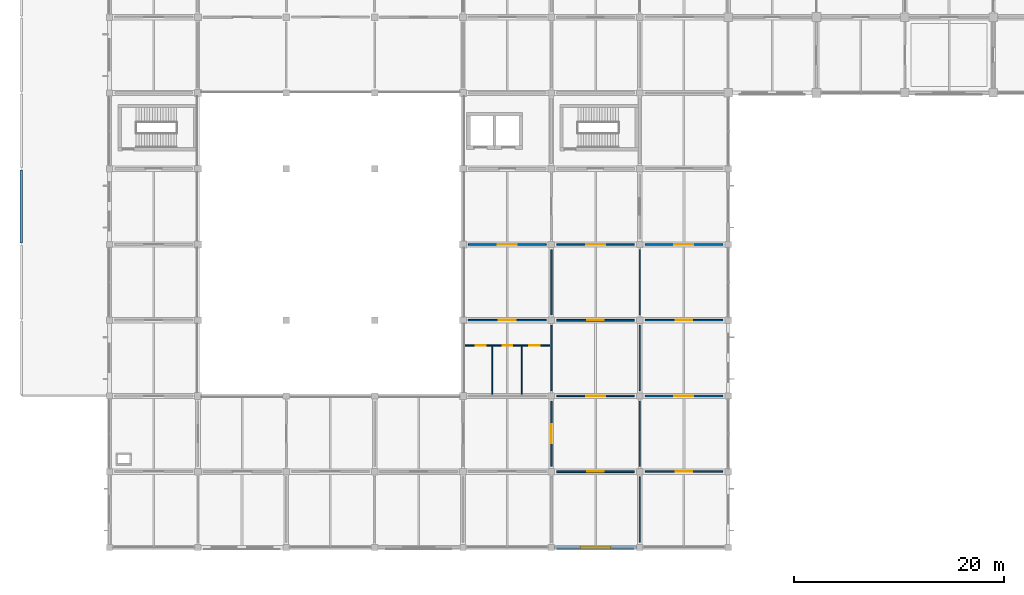
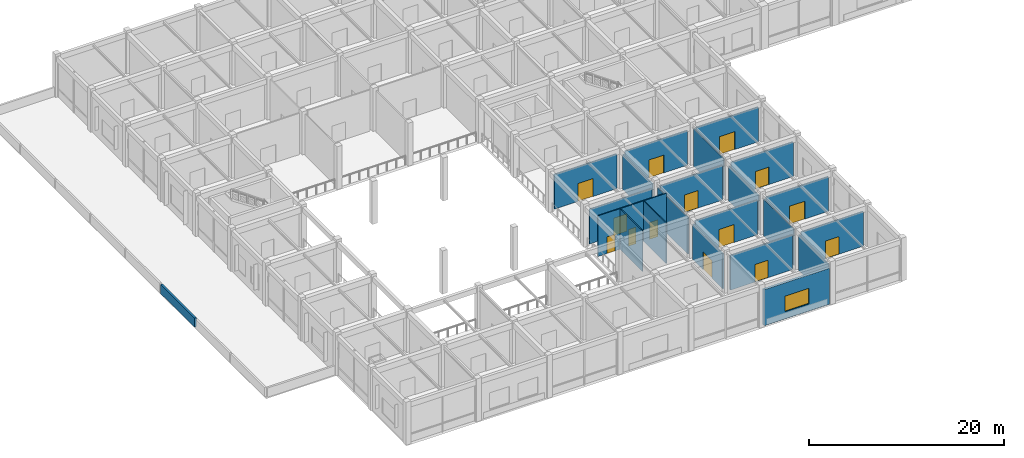
# One storey, part 20 of 38: 22 walls, 14 doors, 1 window, 15 openings.
"""IFC4 building model written with IfcOpenShell, lengths in metres."""

import ifcopenshell
import ifcopenshell.guid

model = None  # the IFC model being written
_history = None  # IfcOwnerHistory: only IFC2X3 demands one
_inside = {}  # id of a spatial element -> (the spatial element, [elements in it])
_under = {}  # id of a project, library or spatial element -> (it, [spatial elements below it])
_declared = {}  # id of a project -> (the project, [libraries it declares])
_typed = {}  # id of a type object -> (the type object, [elements of that type])
_made_of = {}  # id of a material, layer set ... -> (it, [elements and type objects made of it])


def new_model(schema):
    """Start an empty IFC model of exactly this schema.

    Asked for "IFC4X3", IfcOpenShell would pick the latest addendum, in which some entities
    have other attributes; the version numbers below select the first issue.
    IFC2X3 requires an IfcOwnerHistory on every rooted entity: one is made here for all.
    """
    global model, _history
    if schema == "IFC4X3":
        model = ifcopenshell.file(schema_version=(4, 3, 0, 0))
    else:
        model = ifcopenshell.file(schema=schema)
    _inside.clear()
    _under.clear()
    _declared.clear()
    _typed.clear()
    _made_of.clear()
    _history = None
    if model.schema == "IFC2X3":
        org = make("IfcOrganization", Name="unknown")
        user = make(
            "IfcPersonAndOrganization",
            ThePerson=make("IfcPerson", FamilyName="unknown"),
            TheOrganization=org,
        )
        app = make(
            "IfcApplication",
            ApplicationDeveloper=org,
            Version="unknown",
            ApplicationFullName="unknown",
            ApplicationIdentifier="unknown",
        )
        _history = make(
            "IfcOwnerHistory",
            OwningUser=user,
            OwningApplication=app,
            ChangeAction="ADDED",
            CreationDate=0,
        )
    return model


def make(cls, **values):
    """One entity of the class cls with the attributes given. An attribute that is None is left unset."""
    return model.create_entity(
        cls, **{name: value for name, value in values.items() if value is not None}
    )


def rooted(cls, **values):
    """An entity with a GlobalId (a new one), such as an element, a storey or a relation."""
    return make(cls, GlobalId=ifcopenshell.guid.new(), OwnerHistory=_history, **values)


def si_unit(unit_type, name, prefix=None):
    """IfcSIUnit, for example si_unit("LENGTHUNIT", "METRE", prefix="MILLI")."""
    return make("IfcSIUnit", UnitType=unit_type, Prefix=prefix, Name=name)


def derived_unit(unit_type, elements):
    """IfcDerivedUnit: a product of units, each with its exponent."""
    return make(
        "IfcDerivedUnit",
        Elements=[
            make("IfcDerivedUnitElement", Unit=unit, Exponent=power)
            for unit, power in elements
        ],
        UnitType=unit_type,
    )


def assignment(units):
    """IfcUnitAssignment: the units of a project."""
    return None if units is None else make("IfcUnitAssignment", Units=units)


def point(xyz):
    """IfcCartesianPoint."""
    return None if xyz is None else make("IfcCartesianPoint", Coordinates=xyz)


def direction(xyz):
    """IfcDirection."""
    return None if xyz is None else make("IfcDirection", DirectionRatios=xyz)


def frame(location, z_axis=None, x_axis=None):
    """IfcAxis2Placement3D, a coordinate frame: its origin and axes. An axis left out is left unset."""
    return make(
        "IfcAxis2Placement3D",
        Location=point(location),
        Axis=direction(z_axis),
        RefDirection=direction(x_axis),
    )


def frame_2d(location, x_axis=None):
    """IfcAxis2Placement2D, a coordinate frame in the plane: its origin and x axis."""
    return make(
        "IfcAxis2Placement2D", Location=point(location), RefDirection=direction(x_axis)
    )


def origin():
    """The frame at (0, 0, 0) with its axes left unset."""
    return frame((0.0, 0.0, 0.0))


def place(relative_to, where):
    """IfcLocalPlacement: puts the frame where relative to a parent placement (None: the world)."""
    return make(
        "IfcLocalPlacement", PlacementRelTo=relative_to, RelativePlacement=where
    )


def context(
    kind, dimensions, precision=None, world=None, true_north=None, identifier=None
):
    """IfcGeometricRepresentationContext, for example the 3D "Model" context."""
    return make(
        "IfcGeometricRepresentationContext",
        ContextIdentifier=identifier,
        ContextType=kind,
        CoordinateSpaceDimension=dimensions,
        Precision=precision,
        WorldCoordinateSystem=world,
        TrueNorth=true_north,
    )


def subcontext(parent, identifier, kind, view, scale=None):
    """IfcGeometricRepresentationSubContext, for example "Body" below "Model"."""
    return make(
        "IfcGeometricRepresentationSubContext",
        ContextIdentifier=identifier,
        ContextType=kind,
        ParentContext=parent,
        TargetScale=scale,
        TargetView=view,
    )


def project(units=None, contexts=None):
    """IfcProject with its units and contexts."""
    return rooted(
        "IfcProject",
        Name="project",
        RepresentationContexts=contexts,
        UnitsInContext=assignment(units),
    )


def spatial(cls, under=None, at=None, **own):
    """A site, building, storey or space (cls), placed at a placement, below another one or the project."""
    s = rooted(cls, ObjectPlacement=at, **own)
    if under is not None:
        _under.setdefault(under.id(), (under, []))[1].append(s)
    return s


def profile(cls, at=None, kind="AREA", **sizes):
    """A parametric profile (cls). Its sizes go by their IFC names, for example OverallWidth=200.0."""
    return make(cls, ProfileType=kind, Position=at, **sizes)


def rectangle(**sizes):
    """IfcRectangleProfileDef."""
    return profile("IfcRectangleProfileDef", **sizes)


def extrude(swept, where, along, depth):
    """IfcExtrudedAreaSolid: the profile swept, set in the frame where, extruded along a direction by depth."""
    return make(
        "IfcExtrudedAreaSolid",
        SweptArea=swept,
        Position=where,
        ExtrudedDirection=direction(along),
        Depth=depth,
    )


def shape(context_of_items, identifier, shape_type, items):
    """IfcShapeRepresentation: the items that make up one representation, for example the "Body"."""
    return make(
        "IfcShapeRepresentation",
        ContextOfItems=context_of_items,
        RepresentationIdentifier=identifier,
        RepresentationType=shape_type,
        Items=items,
    )


def material(Name=None, Category=None):
    """IfcMaterial."""
    return make("IfcMaterial", Name=Name, Category=Category)


def layer(
    of_material, thickness, ventilated=None, Name=None, Category=None, Priority=None
):
    """IfcMaterialLayer: one layer of a wall or slab, of a material (None: an air gap)."""
    return make(
        "IfcMaterialLayer",
        Material=of_material,
        LayerThickness=thickness,
        IsVentilated=ventilated,
        Name=Name,
        Category=Category,
        Priority=Priority,
    )


def layer_set(layers, Name=None):
    """IfcMaterialLayerSet."""
    return make("IfcMaterialLayerSet", MaterialLayers=layers, LayerSetName=Name)


def made_of(thing, what):
    """Note that an element or type object is made of a material, layer set ...; save() writes the relation."""
    if what is not None:
        _made_of.setdefault(what.id(), (what, []))[1].append(thing)
    return thing


def type_object(cls, material=None, **own):
    """A type object (cls), such as IfcWallType, which elements share."""
    return made_of(rooted(cls, **own), material)


def element(
    cls,
    number,
    at=None,
    inside=None,
    cuts=None,
    type_object=None,
    material=None,
    context=None,
    identifier="Body",
    shape_type=None,
    held_by="IfcProductDefinitionShape",
    body=None,
    shapes=None,
    **own,
):
    """One element of the class cls, such as IfcWall. Its Tag is "e" and its number.

    at: its placement. inside: the storey or other place that contains it. cuts: it is an
    opening in that element (IfcRelVoidsElement). A single representation is given by context,
    identifier, shape_type and body (its items); several are given by shapes. held_by: the class
    of the entity that holds the representations. save() writes the other relations.
    """
    e = rooted(cls, Tag="e%d" % number, ObjectPlacement=at, **own)
    if body is not None:
        shapes = [shape(context, identifier, shape_type, body)]
    if shapes is not None:
        e.Representation = make(held_by, Representations=shapes)
    if inside is not None:
        _inside.setdefault(inside.id(), (inside, []))[1].append(e)
    if cuts is not None:
        rooted(
            "IfcRelVoidsElement", RelatingBuildingElement=cuts, RelatedOpeningElement=e
        )
    if type_object is not None:
        _typed.setdefault(type_object.id(), (type_object, []))[1].append(e)
    return made_of(e, material)


def fill(opening, filler):
    """IfcRelFillsElement: the door or window that sits in an opening."""
    return rooted(
        "IfcRelFillsElement",
        RelatingOpeningElement=opening,
        RelatedBuildingElement=filler,
    )


def aggregate(whole, parts):
    """IfcRelAggregates: a whole, such as a stair, and the parts it consists of."""
    return rooted("IfcRelAggregates", RelatingObject=whole, RelatedObjects=parts)


def save(model, path):
    """Write the relations noted so far, then the file.

    IfcRelAggregates (storeys below a building ...), IfcRelContainedInSpatialStructure (elements
    in a storey), IfcRelDefinesByType, IfcRelAssociatesMaterial and IfcRelDeclares: one each for
    every whole, place, type object, material and project.
    """
    for whole, parts in _under.values():
        aggregate(whole, parts)
    for where, things in _inside.values():
        rooted(
            "IfcRelContainedInSpatialStructure",
            RelatedElements=things,
            RelatingStructure=where,
        )
    for kind, things in _typed.values():
        rooted("IfcRelDefinesByType", RelatedObjects=things, RelatingType=kind)
    for what, things in _made_of.values():
        rooted("IfcRelAssociatesMaterial", RelatedObjects=things, RelatingMaterial=what)
    for by, libraries in _declared.values():
        rooted("IfcRelDeclares", RelatingContext=by, RelatedDefinitions=libraries)
    model.write(path)


model = new_model("IFC4")

# Units and contexts
model_context = context("Model", 3, precision=1e-05, world=origin(), true_north=direction((0.0, 1.0)))
body_context = subcontext(model_context, "Body", "Model", "MODEL_VIEW")
ifc_project = project(units=[si_unit("LENGTHUNIT", "METRE"), si_unit("AREAUNIT", "SQUARE_METRE"), si_unit("VOLUMEUNIT", "CUBIC_METRE"), si_unit("PLANEANGLEUNIT", "RADIAN"), si_unit("MASSUNIT", "GRAM", prefix="KILO"), derived_unit("THERMALTRANSMITTANCEUNIT", [(si_unit("MASSUNIT", "GRAM", prefix="KILO"), 1), (si_unit("TIMEUNIT", "SECOND"), -3), (si_unit("THERMODYNAMICTEMPERATUREUNIT", "KELVIN"), -1)])], contexts=[model_context])

# Site, building, storey
site_placement = place(None, origin())
site = spatial("IfcSite", under=ifc_project, at=site_placement, CompositionType="ELEMENT")
building_placement = place(site_placement, origin())
building = spatial("IfcBuilding", under=site, at=building_placement, Name="Veldstrom Oceanarium and Marine Research Institute", CompositionType="ELEMENT")
storey_placement = place(building_placement, frame((0.0, 0.0, 11.39990234375)))
storey = spatial("IfcBuildingStorey", under=building, at=storey_placement, Name="L02", CompositionType="ELEMENT", Elevation=11.39990234375)

# Wall, opening, window
ifc_material_1 = material(Name="Masonry Cavity Wall", Category="masonry")
ifc_layer_1 = layer(ifc_material_1, 0.2900390625)
ifc_layer_set_1 = layer_set([ifc_layer_1], Name="ARC-WAL-EW2")
wall_type_1 = type_object("IfcWallType", Name="ARC-WAL-EW2", PredefinedType="SOLIDWALL", material=ifc_layer_set_1)
wall_1_placement = place(storey_placement, frame((50.699951171875, 0.0, 0.0), z_axis=(0.0, 0.0, 1.0), x_axis=(1.0, 0.0, 0.0)))
wall_1 = element("IfcWall", 1, at=wall_1_placement, inside=storey, type_object=wall_type_1, Name="Exterior Facade Wall EW2 L02-127", PredefinedType="SOLIDWALL", context=body_context, shape_type="SweptSolid", body=[
    extrude(rectangle(XDim=7.800048828125, YDim=0.2900390625, at=frame_2d((3.89990234375, 0.0))), origin(), (0.0, 0.0, 1.0), 4.52001953125),
])
opening_1_placement = place(wall_1_placement, frame((2.47509765625, 0.0, 0.89990234375)))
opening_1 = element("IfcOpeningElement", 2, at=opening_1_placement, cuts=wall_1, Name="Opening W19", PredefinedType="OPENING", context=body_context, shape_type="SweptSolid", body=[
    extrude(rectangle(XDim=2.85009765625, YDim=1.949951171875, at=frame_2d((1.425048828125, 0.97509765625))), frame((0.0, 0.155029296875, 0.0), z_axis=(0.0, -1.0, 0.0), x_axis=(1.0, 0.0, 0.0)), (0.0, 0.0, 1.0), 0.31005859375),
])
ifc_material_2 = material(Name="Double Glazed Low-E IGU", Category="glass")
window_type = type_object("IfcWindowType", Name="ARC-WIN-W19", PartitioningType="SINGLE_PANEL", PredefinedType="WINDOW", material=ifc_material_2)
window_placement = place(opening_1_placement, origin())
window = element("IfcWindow", 3, at=window_placement, inside=storey, type_object=window_type, Name="Facade Window W19 L02-0090", OverallHeight=1.949951171875, OverallWidth=2.85009765625, PartitioningType="SINGLE_PANEL", PredefinedType="WINDOW", context=body_context, shape_type="SweptSolid", body=[
    extrude(rectangle(XDim=2.85009765625, YDim=1.949951171875, at=frame_2d((1.425048828125, 0.97509765625))), frame((0.0, 0.030029296875, 0.0), z_axis=(0.0, -1.0, 0.0), x_axis=(1.0, 0.0, 0.0)), (0.0, 0.0, 1.0), 0.06005859375),
])
fill(opening_1, window)

# Wall
ifc_material_3 = material(Name="Masonry Cavity Wall", Category="masonry")
ifc_layer_2 = layer(ifc_material_3, 0.219970703125)
ifc_layer_set_2 = layer_set([ifc_layer_2], Name="ARC-WAL-PR1")
wall_type_2 = type_object("IfcWallType", Name="ARC-WAL-PR1", PredefinedType="PARAPET", material=ifc_layer_set_2)
wall_2_placement = place(storey_placement, frame((0.0, 28.919921875, 0.0), z_axis=(0.0, 0.0, 1.0), x_axis=(0.0, 1.0, 0.0)))
element("IfcWall", 4, at=wall_2_placement, inside=storey, type_object=wall_type_2, Name="Roof Parapet Wall L01-025", PredefinedType="PARAPET", context=body_context, shape_type="SweptSolid", body=[
    extrude(rectangle(XDim=6.9599609375, YDim=0.219970703125, at=frame_2d((3.47998046875, 0.0))), origin(), (0.0, 0.0, 1.0), 1.150146484375),
])

# Wall, opening, door
ifc_material_4 = material(Name="Drywall Corridor Partition", Category="gypsum")
ifc_layer_3 = layer(ifc_material_4, 0.155029296875)
ifc_layer_set_3 = layer_set([ifc_layer_3], Name="ARC-WAL-PT4")
wall_type_3 = type_object("IfcWallType", Name="ARC-WAL-PT4", PredefinedType="PARTITIONING", material=ifc_layer_set_3)
wall_3_placement = place(storey_placement, frame((50.39990234375, 7.699951171875, 0.0), z_axis=(0.0, 0.0, 1.0), x_axis=(0.0, 1.0, 0.0)))
wall_3 = element("IfcWall", 5, at=wall_3_placement, inside=storey, type_object=wall_type_3, Name="Interior Partition PT4 L02-1109", PredefinedType="PARTITIONING", context=body_context, shape_type="SweptSolid", body=[
    extrude(rectangle(XDim=6.199951171875, YDim=0.155029296875, at=frame_2d((3.10009765625, 0.0))), origin(), (0.0, 0.0, 1.0), 4.39501953125),
])
opening_2_placement = place(wall_3_placement, frame((2.199951171875, 0.0, 0.0)))
opening_2 = element("IfcOpeningElement", 6, at=opening_2_placement, cuts=wall_3, Name="Opening D-L02-646", PredefinedType="OPENING", context=body_context, shape_type="SweptSolid", body=[
    extrude(rectangle(XDim=1.800048828125, YDim=2.25, at=frame_2d((0.89990234375, 1.125))), frame((0.0, 0.08740234375, 0.0), z_axis=(0.0, -1.0, 0.0), x_axis=(1.0, 0.0, 0.0)), (0.0, 0.0, 1.0), 0.175048828125),
])
ifc_material_5 = material(Name="Acoustic Timber Gallery Door", Category="wood")
door_type_1 = type_object("IfcDoorType", Name="ARC-DOR-ID01", OperationType="DOUBLE_DOOR_SINGLE_SWING", PredefinedType="DOOR", material=ifc_material_5)
door_1_placement = place(opening_2_placement, frame((1.800048828125, 0.0, 0.0), z_axis=(0.0, 0.0, 1.0), x_axis=(-1.0, 0.0, 0.0)))
door_1 = element("IfcDoor", 7, at=door_1_placement, inside=storey, type_object=door_type_1, Name="Interior Door D-L02-646", OperationType="DOUBLE_DOOR_SINGLE_SWING", OverallHeight=2.25, OverallWidth=1.800048828125, PredefinedType="DOOR", context=body_context, shape_type="SweptSolid", body=[
    extrude(rectangle(XDim=1.800048828125, YDim=2.25, at=frame_2d((0.89990234375, 1.125))), frame((0.0, 0.02490234375, 0.0), z_axis=(0.0, -1.0, 0.0), x_axis=(1.0, 0.0, 0.0)), (0.0, 0.0, 1.0), 0.050048828125),
])
fill(opening_2, door_1)

wall_4_placement = place(storey_placement, frame((42.5, 28.800048828125, 0.0), z_axis=(0.0, 0.0, 1.0), x_axis=(1.0, 0.0, 0.0)))
wall_4 = element("IfcWall", 8, at=wall_4_placement, inside=storey, type_object=wall_type_3, Name="Interior Partition PT4 L02-1114", PredefinedType="PARTITIONING", context=body_context, shape_type="SweptSolid", body=[
    extrude(rectangle(XDim=7.39990234375, YDim=0.155029296875, at=frame_2d((3.699951171875, 0.0))), origin(), (0.0, 0.0, 1.0), 4.34521484375),
])
opening_3_placement = place(wall_4_placement, frame((2.800048828125, 0.0, 0.0)))
opening_3 = element("IfcOpeningElement", 9, at=opening_3_placement, cuts=wall_4, Name="Opening D-L02-648", PredefinedType="OPENING", context=body_context, shape_type="SweptSolid", body=[
    extrude(rectangle(XDim=1.800048828125, YDim=2.25, at=frame_2d((0.89990234375, 1.125))), frame((0.0, 0.08740234375, 0.0), z_axis=(0.0, -1.0, 0.0), x_axis=(1.0, 0.0, 0.0)), (0.0, 0.0, 1.0), 0.175048828125),
])
door_2_placement = place(opening_3_placement, origin())
door_2 = element("IfcDoor", 10, at=door_2_placement, inside=storey, type_object=door_type_1, Name="Interior Door D-L02-648", OperationType="DOUBLE_DOOR_SINGLE_SWING", OverallHeight=2.25, OverallWidth=1.800048828125, PredefinedType="DOOR", context=body_context, shape_type="SweptSolid", body=[
    extrude(rectangle(XDim=1.800048828125, YDim=2.25, at=frame_2d((0.89990234375, 1.125))), frame((0.0, 0.02490234375, 0.0), z_axis=(0.0, -1.0, 0.0), x_axis=(1.0, 0.0, 0.0)), (0.0, 0.0, 1.0), 0.050048828125),
])
fill(opening_3, door_2)

wall_5_placement = place(storey_placement, frame((50.89990234375, 7.199951171875, 0.0), z_axis=(0.0, 0.0, 1.0), x_axis=(1.0, 0.0, 0.0)))
wall_5 = element("IfcWall", 11, at=wall_5_placement, inside=storey, type_object=wall_type_3, Name="Interior Partition PT4 L02-1127", PredefinedType="PARTITIONING", context=body_context, shape_type="SweptSolid", body=[
    extrude(rectangle(XDim=7.400146484375, YDim=0.155029296875, at=frame_2d((3.7001953125, 0.0))), origin(), (0.0, 0.0, 1.0), 4.34521484375),
])
opening_4_placement = place(wall_5_placement, frame((2.89990234375, 0.0, 0.0)))
opening_4 = element("IfcOpeningElement", 12, at=opening_4_placement, cuts=wall_5, Name="Opening D-L02-655", PredefinedType="OPENING", context=body_context, shape_type="SweptSolid", body=[
    extrude(rectangle(XDim=1.60009765625, YDim=2.199951171875, at=frame_2d((0.800048828125, 1.10009765625))), frame((0.0, 0.08740234375, 0.0), z_axis=(0.0, -1.0, 0.0), x_axis=(1.0, 0.0, 0.0)), (0.0, 0.0, 1.0), 0.175048828125),
])
ifc_material_6 = material(Name="Acoustic Timber Corridor Door", Category="wood")
door_type_2 = type_object("IfcDoorType", Name="ARC-DOR-ID02", OperationType="DOUBLE_DOOR_SINGLE_SWING", PredefinedType="DOOR", material=ifc_material_6)
door_3_placement = place(opening_4_placement, origin())
door_3 = element("IfcDoor", 13, at=door_3_placement, inside=storey, type_object=door_type_2, Name="Interior Door D-L02-655", OperationType="DOUBLE_DOOR_SINGLE_SWING", OverallHeight=2.199951171875, OverallWidth=1.60009765625, PredefinedType="DOOR", context=body_context, shape_type="SweptSolid", body=[
    extrude(rectangle(XDim=1.60009765625, YDim=2.199951171875, at=frame_2d((0.800048828125, 1.10009765625))), frame((0.0, 0.02490234375, 0.0), z_axis=(0.0, -1.0, 0.0), x_axis=(1.0, 0.0, 0.0)), (0.0, 0.0, 1.0), 0.050048828125),
])
fill(opening_4, door_3)

wall_6_placement = place(storey_placement, frame((50.89990234375, 21.60009765625, 0.0), z_axis=(0.0, 0.0, 1.0), x_axis=(1.0, 0.0, 0.0)))
wall_6 = element("IfcWall", 14, at=wall_6_placement, inside=storey, type_object=wall_type_3, Name="Interior Partition PT4 L02-1131", PredefinedType="PARTITIONING", context=body_context, shape_type="SweptSolid", body=[
    extrude(rectangle(XDim=7.400146484375, YDim=0.155029296875, at=frame_2d((3.7001953125, 0.0))), origin(), (0.0, 0.0, 1.0), 4.34521484375),
])
opening_5_placement = place(wall_6_placement, frame((2.89990234375, 0.0, 0.0)))
opening_5 = element("IfcOpeningElement", 15, at=opening_5_placement, cuts=wall_6, Name="Opening D-L02-657", PredefinedType="OPENING", context=body_context, shape_type="SweptSolid", body=[
    extrude(rectangle(XDim=1.60009765625, YDim=2.199951171875, at=frame_2d((0.800048828125, 1.10009765625))), frame((0.0, 0.08740234375, 0.0), z_axis=(0.0, -1.0, 0.0), x_axis=(1.0, 0.0, 0.0)), (0.0, 0.0, 1.0), 0.175048828125),
])
door_4_placement = place(opening_5_placement, origin())
door_4 = element("IfcDoor", 16, at=door_4_placement, inside=storey, type_object=door_type_2, Name="Interior Door D-L02-657", OperationType="DOUBLE_DOOR_SINGLE_SWING", OverallHeight=2.199951171875, OverallWidth=1.60009765625, PredefinedType="DOOR", context=body_context, shape_type="SweptSolid", body=[
    extrude(rectangle(XDim=1.60009765625, YDim=2.199951171875, at=frame_2d((0.800048828125, 1.10009765625))), frame((0.0, 0.02490234375, 0.0), z_axis=(0.0, -1.0, 0.0), x_axis=(1.0, 0.0, 0.0)), (0.0, 0.0, 1.0), 0.050048828125),
])
fill(opening_5, door_4)

wall_7_placement = place(storey_placement, frame((59.300048828125, 14.39990234375, 0.0), z_axis=(0.0, 0.0, 1.0), x_axis=(1.0, 0.0, 0.0)))
wall_7 = element("IfcWall", 17, at=wall_7_placement, inside=storey, type_object=wall_type_3, Name="Interior Partition PT4 L02-1146", PredefinedType="PARTITIONING", context=body_context, shape_type="SweptSolid", body=[
    extrude(rectangle(XDim=7.39990234375, YDim=0.155029296875, at=frame_2d((3.699951171875, 0.0))), origin(), (0.0, 0.0, 1.0), 4.34521484375),
])
opening_6_placement = place(wall_7_placement, frame((2.800048828125, 0.0, 0.0)))
opening_6 = element("IfcOpeningElement", 18, at=opening_6_placement, cuts=wall_7, Name="Opening D-L02-666", PredefinedType="OPENING", context=body_context, shape_type="SweptSolid", body=[
    extrude(rectangle(XDim=1.800048828125, YDim=2.25, at=frame_2d((0.89990234375, 1.125))), frame((0.0, 0.08740234375, 0.0), z_axis=(0.0, -1.0, 0.0), x_axis=(1.0, 0.0, 0.0)), (0.0, 0.0, 1.0), 0.175048828125),
])
door_5_placement = place(opening_6_placement, origin())
door_5 = element("IfcDoor", 19, at=door_5_placement, inside=storey, type_object=door_type_1, Name="Interior Door D-L02-666", OperationType="DOUBLE_DOOR_SINGLE_SWING", OverallHeight=2.25, OverallWidth=1.800048828125, PredefinedType="DOOR", context=body_context, shape_type="SweptSolid", body=[
    extrude(rectangle(XDim=1.800048828125, YDim=2.25, at=frame_2d((0.89990234375, 1.125))), frame((0.0, 0.02490234375, 0.0), z_axis=(0.0, -1.0, 0.0), x_axis=(1.0, 0.0, 0.0)), (0.0, 0.0, 1.0), 0.050048828125),
])
fill(opening_6, door_5)

wall_8_placement = place(storey_placement, frame((59.300048828125, 28.800048828125, 0.0), z_axis=(0.0, 0.0, 1.0), x_axis=(1.0, 0.0, 0.0)))
wall_8 = element("IfcWall", 20, at=wall_8_placement, inside=storey, type_object=wall_type_3, Name="Interior Partition PT4 L02-1148", PredefinedType="PARTITIONING", context=body_context, shape_type="SweptSolid", body=[
    extrude(rectangle(XDim=7.39990234375, YDim=0.155029296875, at=frame_2d((3.699951171875, 0.0))), origin(), (0.0, 0.0, 1.0), 4.34521484375),
])
opening_7_placement = place(wall_8_placement, frame((2.800048828125, 0.0, 0.0)))
opening_7 = element("IfcOpeningElement", 21, at=opening_7_placement, cuts=wall_8, Name="Opening D-L02-668", PredefinedType="OPENING", context=body_context, shape_type="SweptSolid", body=[
    extrude(rectangle(XDim=1.800048828125, YDim=2.25, at=frame_2d((0.89990234375, 1.125))), frame((0.0, 0.08740234375, 0.0), z_axis=(0.0, -1.0, 0.0), x_axis=(1.0, 0.0, 0.0)), (0.0, 0.0, 1.0), 0.175048828125),
])
door_6_placement = place(opening_7_placement, origin())
door_6 = element("IfcDoor", 22, at=door_6_placement, inside=storey, type_object=door_type_1, Name="Interior Door D-L02-668", OperationType="DOUBLE_DOOR_SINGLE_SWING", OverallHeight=2.25, OverallWidth=1.800048828125, PredefinedType="DOOR", context=body_context, shape_type="SweptSolid", body=[
    extrude(rectangle(XDim=1.800048828125, YDim=2.25, at=frame_2d((0.89990234375, 1.125))), frame((0.0, 0.02490234375, 0.0), z_axis=(0.0, -1.0, 0.0), x_axis=(1.0, 0.0, 0.0)), (0.0, 0.0, 1.0), 0.050048828125),
])
fill(opening_7, door_6)

ifc_material_7 = material(Name="Moisture-Resistant Wet-Area Partition", Category="masonry")
ifc_layer_4 = layer(ifc_material_7, 0.139892578125)
ifc_layer_set_4 = layer_set([ifc_layer_4], Name="ARC-WAL-PT5")
wall_type_4 = type_object("IfcWallType", Name="ARC-WAL-PT5", PredefinedType="PARTITIONING", material=ifc_layer_set_4)
wall_9_placement = place(storey_placement, frame((42.5, 21.60009765625, 0.0), z_axis=(0.0, 0.0, 1.0), x_axis=(1.0, 0.0, 0.0)))
wall_9 = element("IfcWall", 23, at=wall_9_placement, inside=storey, type_object=wall_type_4, Name="Interior Partition PT5 L02-1112", PredefinedType="PARTITIONING", context=body_context, shape_type="SweptSolid", body=[
    extrude(rectangle(XDim=7.39990234375, YDim=0.139892578125, at=frame_2d((3.699951171875, 0.0))), origin(), (0.0, 0.0, 1.0), 4.34521484375),
])
opening_8_placement = place(wall_9_placement, frame((2.89990234375, 0.0, 0.0)))
opening_8 = element("IfcOpeningElement", 24, at=opening_8_placement, cuts=wall_9, Name="Opening D-L02-647", PredefinedType="OPENING", context=body_context, shape_type="SweptSolid", body=[
    extrude(rectangle(XDim=1.60009765625, YDim=2.199951171875, at=frame_2d((0.800048828125, 1.10009765625))), frame((0.0, 0.079833984375, 0.0), z_axis=(0.0, -1.0, 0.0), x_axis=(1.0, 0.0, 0.0)), (0.0, 0.0, 1.0), 0.159912109375),
])
door_7_placement = place(opening_8_placement, frame((1.60009765625, 0.0, 0.0), z_axis=(0.0, 0.0, 1.0), x_axis=(-1.0, 0.0, 0.0)))
door_7 = element("IfcDoor", 25, at=door_7_placement, inside=storey, type_object=door_type_2, Name="Interior Door D-L02-647", OperationType="DOUBLE_DOOR_SINGLE_SWING", OverallHeight=2.199951171875, OverallWidth=1.60009765625, PredefinedType="DOOR", context=body_context, shape_type="SweptSolid", body=[
    extrude(rectangle(XDim=1.60009765625, YDim=2.199951171875, at=frame_2d((0.800048828125, 1.10009765625))), frame((0.0, 0.02490234375, 0.0), z_axis=(0.0, -1.0, 0.0), x_axis=(1.0, 0.0, 0.0)), (0.0, 0.0, 1.0), 0.050048828125),
])
fill(opening_8, door_7)

wall_10_placement = place(storey_placement, frame((50.89990234375, 14.39990234375, 0.0), z_axis=(0.0, 0.0, 1.0), x_axis=(1.0, 0.0, 0.0)))
wall_10 = element("IfcWall", 26, at=wall_10_placement, inside=storey, type_object=wall_type_4, Name="Interior Partition PT5 L02-1129", PredefinedType="PARTITIONING", context=body_context, shape_type="SweptSolid", body=[
    extrude(rectangle(XDim=7.400146484375, YDim=0.139892578125, at=frame_2d((3.7001953125, 0.0))), origin(), (0.0, 0.0, 1.0), 4.34521484375),
])
opening_9_placement = place(wall_10_placement, frame((2.800048828125, 0.0, 0.0)))
opening_9 = element("IfcOpeningElement", 27, at=opening_9_placement, cuts=wall_10, Name="Opening D-L02-656", PredefinedType="OPENING", context=body_context, shape_type="SweptSolid", body=[
    extrude(rectangle(XDim=1.800048828125, YDim=2.25, at=frame_2d((0.89990234375, 1.125))), frame((0.0, 0.079833984375, 0.0), z_axis=(0.0, -1.0, 0.0), x_axis=(1.0, 0.0, 0.0)), (0.0, 0.0, 1.0), 0.159912109375),
])
door_8_placement = place(opening_9_placement, frame((1.800048828125, 0.0, 0.0), z_axis=(0.0, 0.0, 1.0), x_axis=(-1.0, 0.0, 0.0)))
door_8 = element("IfcDoor", 28, at=door_8_placement, inside=storey, type_object=door_type_1, Name="Interior Door D-L02-656", OperationType="DOUBLE_DOOR_SINGLE_SWING", OverallHeight=2.25, OverallWidth=1.800048828125, PredefinedType="DOOR", context=body_context, shape_type="SweptSolid", body=[
    extrude(rectangle(XDim=1.800048828125, YDim=2.25, at=frame_2d((0.89990234375, 1.125))), frame((0.0, 0.02490234375, 0.0), z_axis=(0.0, -1.0, 0.0), x_axis=(1.0, 0.0, 0.0)), (0.0, 0.0, 1.0), 0.050048828125),
])
fill(opening_9, door_8)

wall_11_placement = place(storey_placement, frame((50.89990234375, 28.800048828125, 0.0), z_axis=(0.0, 0.0, 1.0), x_axis=(1.0, 0.0, 0.0)))
wall_11 = element("IfcWall", 29, at=wall_11_placement, inside=storey, type_object=wall_type_4, Name="Interior Partition PT5 L02-1133", PredefinedType="PARTITIONING", context=body_context, shape_type="SweptSolid", body=[
    extrude(rectangle(XDim=7.400146484375, YDim=0.139892578125, at=frame_2d((3.7001953125, 0.0))), origin(), (0.0, 0.0, 1.0), 4.34521484375),
])
opening_10_placement = place(wall_11_placement, frame((2.800048828125, 0.0, 0.0)))
opening_10 = element("IfcOpeningElement", 30, at=opening_10_placement, cuts=wall_11, Name="Opening D-L02-658", PredefinedType="OPENING", context=body_context, shape_type="SweptSolid", body=[
    extrude(rectangle(XDim=1.800048828125, YDim=2.25, at=frame_2d((0.89990234375, 1.125))), frame((0.0, 0.079833984375, 0.0), z_axis=(0.0, -1.0, 0.0), x_axis=(1.0, 0.0, 0.0)), (0.0, 0.0, 1.0), 0.159912109375),
])
door_9_placement = place(opening_10_placement, frame((1.800048828125, 0.0, 0.0), z_axis=(0.0, 0.0, 1.0), x_axis=(-1.0, 0.0, 0.0)))
door_9 = element("IfcDoor", 31, at=door_9_placement, inside=storey, type_object=door_type_1, Name="Interior Door D-L02-658", OperationType="DOUBLE_DOOR_SINGLE_SWING", OverallHeight=2.25, OverallWidth=1.800048828125, PredefinedType="DOOR", context=body_context, shape_type="SweptSolid", body=[
    extrude(rectangle(XDim=1.800048828125, YDim=2.25, at=frame_2d((0.89990234375, 1.125))), frame((0.0, 0.02490234375, 0.0), z_axis=(0.0, -1.0, 0.0), x_axis=(1.0, 0.0, 0.0)), (0.0, 0.0, 1.0), 0.050048828125),
])
fill(opening_10, door_9)

wall_12_placement = place(storey_placement, frame((59.300048828125, 7.199951171875, 0.0), z_axis=(0.0, 0.0, 1.0), x_axis=(1.0, 0.0, 0.0)))
wall_12 = element("IfcWall", 32, at=wall_12_placement, inside=storey, type_object=wall_type_4, Name="Interior Partition PT5 L02-1145", PredefinedType="PARTITIONING", context=body_context, shape_type="SweptSolid", body=[
    extrude(rectangle(XDim=7.39990234375, YDim=0.139892578125, at=frame_2d((3.699951171875, 0.0))), origin(), (0.0, 0.0, 1.0), 4.34521484375),
])
opening_11_placement = place(wall_12_placement, frame((2.89990234375, 0.0, 0.0)))
opening_11 = element("IfcOpeningElement", 33, at=opening_11_placement, cuts=wall_12, Name="Opening D-L02-665", PredefinedType="OPENING", context=body_context, shape_type="SweptSolid", body=[
    extrude(rectangle(XDim=1.60009765625, YDim=2.199951171875, at=frame_2d((0.800048828125, 1.10009765625))), frame((0.0, 0.079833984375, 0.0), z_axis=(0.0, -1.0, 0.0), x_axis=(1.0, 0.0, 0.0)), (0.0, 0.0, 1.0), 0.159912109375),
])
door_10_placement = place(opening_11_placement, frame((1.60009765625, 0.0, 0.0), z_axis=(0.0, 0.0, 1.0), x_axis=(-1.0, 0.0, 0.0)))
door_10 = element("IfcDoor", 34, at=door_10_placement, inside=storey, type_object=door_type_2, Name="Interior Door D-L02-665", OperationType="DOUBLE_DOOR_SINGLE_SWING", OverallHeight=2.199951171875, OverallWidth=1.60009765625, PredefinedType="DOOR", context=body_context, shape_type="SweptSolid", body=[
    extrude(rectangle(XDim=1.60009765625, YDim=2.199951171875, at=frame_2d((0.800048828125, 1.10009765625))), frame((0.0, 0.02490234375, 0.0), z_axis=(0.0, -1.0, 0.0), x_axis=(1.0, 0.0, 0.0)), (0.0, 0.0, 1.0), 0.050048828125),
])
fill(opening_11, door_10)

wall_13_placement = place(storey_placement, frame((59.300048828125, 21.60009765625, 0.0), z_axis=(0.0, 0.0, 1.0), x_axis=(1.0, 0.0, 0.0)))
wall_13 = element("IfcWall", 35, at=wall_13_placement, inside=storey, type_object=wall_type_4, Name="Interior Partition PT5 L02-1147", PredefinedType="PARTITIONING", context=body_context, shape_type="SweptSolid", body=[
    extrude(rectangle(XDim=7.39990234375, YDim=0.139892578125, at=frame_2d((3.699951171875, 0.0))), origin(), (0.0, 0.0, 1.0), 4.34521484375),
])
opening_12_placement = place(wall_13_placement, frame((2.89990234375, 0.0, 0.0)))
opening_12 = element("IfcOpeningElement", 36, at=opening_12_placement, cuts=wall_13, Name="Opening D-L02-667", PredefinedType="OPENING", context=body_context, shape_type="SweptSolid", body=[
    extrude(rectangle(XDim=1.60009765625, YDim=2.199951171875, at=frame_2d((0.800048828125, 1.10009765625))), frame((0.0, 0.079833984375, 0.0), z_axis=(0.0, -1.0, 0.0), x_axis=(1.0, 0.0, 0.0)), (0.0, 0.0, 1.0), 0.159912109375),
])
door_11_placement = place(opening_12_placement, frame((1.60009765625, 0.0, 0.0), z_axis=(0.0, 0.0, 1.0), x_axis=(-1.0, 0.0, 0.0)))
door_11 = element("IfcDoor", 37, at=door_11_placement, inside=storey, type_object=door_type_2, Name="Interior Door D-L02-667", OperationType="DOUBLE_DOOR_SINGLE_SWING", OverallHeight=2.199951171875, OverallWidth=1.60009765625, PredefinedType="DOOR", context=body_context, shape_type="SweptSolid", body=[
    extrude(rectangle(XDim=1.60009765625, YDim=2.199951171875, at=frame_2d((0.800048828125, 1.10009765625))), frame((0.0, 0.02490234375, 0.0), z_axis=(0.0, -1.0, 0.0), x_axis=(1.0, 0.0, 0.0)), (0.0, 0.0, 1.0), 0.050048828125),
])
fill(opening_12, door_11)

# Wall, openings, doors
ifc_material_8 = material(Name="Lightweight Studio Partition", Category="gypsum")
ifc_layer_5 = layer(ifc_material_8, 0.1201171875)
ifc_layer_set_5 = layer_set([ifc_layer_5], Name="ARC-WAL-PT6")
wall_type_5 = type_object("IfcWallType", Name="ARC-WAL-PT6", PredefinedType="PARTITIONING", material=ifc_layer_set_5)
wall_14_placement = place(storey_placement, frame((42.14990234375, 19.199951171875, 0.0), z_axis=(0.0, 0.0, 1.0), x_axis=(1.0, 0.0, 0.0)))
wall_14 = element("IfcWall", 38, at=wall_14_placement, inside=storey, type_object=wall_type_5, Name="Sanitary Vestibule Partition L02-5", PredefinedType="PARTITIONING", context=body_context, shape_type="SweptSolid", body=[
    extrude(rectangle(XDim=8.10009765625, YDim=0.1201171875, at=frame_2d((4.050048828125, 0.0))), origin(), (0.0, 0.0, 1.0), 5.10009765625),
])
opening_13_placement = place(wall_14_placement, frame((1.080078125, 0.0, 0.0)))
opening_13 = element("IfcOpeningElement", 39, at=opening_13_placement, cuts=wall_14, Name="Opening D-L02-WC615", PredefinedType="OPENING", context=body_context, shape_type="SweptSolid", body=[
    extrude(rectangle(XDim=0.949951171875, YDim=2.10009765625, at=frame_2d((0.47509765625, 1.050048828125))), frame((0.0, 0.070068359375, 0.0), z_axis=(0.0, -1.0, 0.0), x_axis=(1.0, 0.0, 0.0)), (0.0, 0.0, 1.0), 0.14013671875),
])
opening_14_placement = place(wall_14_placement, frame((3.6298828125, 0.0, 0.0)))
opening_14 = element("IfcOpeningElement", 40, at=opening_14_placement, cuts=wall_14, Name="Opening D-L02-WC616", PredefinedType="OPENING", context=body_context, shape_type="SweptSolid", body=[
    extrude(rectangle(XDim=0.89990234375, YDim=2.10009765625, at=frame_2d((0.449951171875, 1.050048828125))), frame((0.0, 0.070068359375, 0.0), z_axis=(0.0, -1.0, 0.0), x_axis=(1.0, 0.0, 0.0)), (0.0, 0.0, 1.0), 0.14013671875),
])
opening_15_placement = place(wall_14_placement, frame((6.1298828125, 0.0, 0.0)))
opening_15 = element("IfcOpeningElement", 41, at=opening_15_placement, cuts=wall_14, Name="Opening D-L02-WC617", PredefinedType="OPENING", context=body_context, shape_type="SweptSolid", body=[
    extrude(rectangle(XDim=1.0, YDim=2.10009765625, at=frame_2d((0.5, 1.050048828125))), frame((0.0, 0.070068359375, 0.0), z_axis=(0.0, -1.0, 0.0), x_axis=(1.0, 0.0, 0.0)), (0.0, 0.0, 1.0), 0.14013671875),
])
ifc_material_9 = material(Name="Accessible Sanitary Door", Category="timber")
door_type_3 = type_object("IfcDoorType", Name="ARC-DOR-ID08", OperationType="SINGLE_SWING_RIGHT", PredefinedType="DOOR", material=ifc_material_9)
door_12_placement = place(opening_15_placement, frame((1.0, 0.0, 0.0), z_axis=(0.0, 0.0, 1.0), x_axis=(-1.0, 0.0, 0.0)))
door_12 = element("IfcDoor", 42, at=door_12_placement, inside=storey, type_object=door_type_3, Name="Accessible WC Door D-L02-WC617", OperationType="SINGLE_SWING_RIGHT", OverallHeight=2.10009765625, OverallWidth=1.0, PredefinedType="DOOR", context=body_context, shape_type="SweptSolid", body=[
    extrude(rectangle(XDim=1.0, YDim=2.10009765625, at=frame_2d((0.5, 1.050048828125))), frame((0.0, 0.02490234375, 0.0), z_axis=(0.0, -1.0, 0.0), x_axis=(1.0, 0.0, 0.0)), (0.0, 0.0, 1.0), 0.050048828125),
])
fill(opening_15, door_12)
ifc_material_10 = material(Name="Staff Sanitary Door", Category="timber")
door_type_4 = type_object("IfcDoorType", Name="ARC-DOR-ID09", OperationType="SINGLE_SWING_LEFT", PredefinedType="DOOR", material=ifc_material_10)
door_13_placement = place(opening_13_placement, frame((0.949951171875, 0.0, 0.0), z_axis=(0.0, 0.0, 1.0), x_axis=(-1.0, 0.0, 0.0)))
door_13 = element("IfcDoor", 43, at=door_13_placement, inside=storey, type_object=door_type_4, Name="Male WC Door D-L02-WC615", OperationType="SINGLE_SWING_RIGHT", OverallHeight=2.10009765625, OverallWidth=0.949951171875, PredefinedType="DOOR", context=body_context, shape_type="SweptSolid", body=[
    extrude(rectangle(XDim=0.949951171875, YDim=2.10009765625, at=frame_2d((0.47509765625, 1.050048828125))), frame((0.0, 0.02490234375, 0.0), z_axis=(0.0, -1.0, 0.0), x_axis=(1.0, 0.0, 0.0)), (0.0, 0.0, 1.0), 0.050048828125),
])
fill(opening_13, door_13)
ifc_material_11 = material(Name="Internal Sanitary Door", Category="timber")
door_type_5 = type_object("IfcDoorType", Name="ARC-DOR-ID10", OperationType="SINGLE_SWING_RIGHT", PredefinedType="DOOR", material=ifc_material_11)
door_14_placement = place(opening_14_placement, frame((0.89990234375, 0.0, 0.0), z_axis=(0.0, 0.0, 1.0), x_axis=(-1.0, 0.0, 0.0)))
door_14 = element("IfcDoor", 44, at=door_14_placement, inside=storey, type_object=door_type_5, Name="Female WC Door D-L02-WC616", OperationType="SINGLE_SWING_LEFT", OverallHeight=2.10009765625, OverallWidth=0.89990234375, PredefinedType="DOOR", context=body_context, shape_type="SweptSolid", body=[
    extrude(rectangle(XDim=0.89990234375, YDim=2.10009765625, at=frame_2d((0.449951171875, 1.050048828125))), frame((0.0, 0.02490234375, 0.0), z_axis=(0.0, -1.0, 0.0), x_axis=(1.0, 0.0, 0.0)), (0.0, 0.0, 1.0), 0.050048828125),
])
fill(opening_14, door_14)

# Walls
wall_15_placement = place(storey_placement, frame((50.39990234375, 14.89990234375, 0.0), z_axis=(0.0, 0.0, 1.0), x_axis=(0.0, 1.0, 0.0)))
element("IfcWall", 45, at=wall_15_placement, inside=storey, type_object=wall_type_5, Name="Interior Partition PT6 L02-1111", PredefinedType="PARTITIONING", context=body_context, shape_type="SweptSolid", body=[
    extrude(rectangle(XDim=6.2001953125, YDim=0.1201171875, at=frame_2d((3.10009765625, 0.0))), origin(), (0.0, 0.0, 1.0), 4.59521484375),
])
wall_16_placement = place(storey_placement, frame((50.39990234375, 22.10009765625, 0.0), z_axis=(0.0, 0.0, 1.0), x_axis=(0.0, 1.0, 0.0)))
element("IfcWall", 46, at=wall_16_placement, inside=storey, type_object=wall_type_5, Name="Interior Partition PT6 L02-1113", PredefinedType="PARTITIONING", context=body_context, shape_type="SweptSolid", body=[
    extrude(rectangle(XDim=6.199951171875, YDim=0.1201171875, at=frame_2d((3.10009765625, 0.0))), origin(), (0.0, 0.0, 1.0), 4.39501953125),
])
wall_17_placement = place(storey_placement, frame((58.800048828125, 0.5, 0.0), z_axis=(0.0, 0.0, 1.0), x_axis=(0.0, 1.0, 0.0)))
element("IfcWall", 47, at=wall_17_placement, inside=storey, type_object=wall_type_5, Name="Interior Partition PT6 L02-1126", PredefinedType="PARTITIONING", context=body_context, shape_type="SweptSolid", body=[
    extrude(rectangle(XDim=6.199951171875, YDim=0.1201171875, at=frame_2d((3.10009765625, 0.0))), origin(), (0.0, 0.0, 1.0), 4.47021484375),
])
wall_18_placement = place(storey_placement, frame((58.800048828125, 7.699951171875, 0.0), z_axis=(0.0, 0.0, 1.0), x_axis=(0.0, 1.0, 0.0)))
element("IfcWall", 48, at=wall_18_placement, inside=storey, type_object=wall_type_5, Name="Interior Partition PT6 L02-1128", PredefinedType="PARTITIONING", context=body_context, shape_type="SweptSolid", body=[
    extrude(rectangle(XDim=6.199951171875, YDim=0.1201171875, at=frame_2d((3.10009765625, 0.0))), origin(), (0.0, 0.0, 1.0), 4.59521484375),
])
wall_19_placement = place(storey_placement, frame((58.800048828125, 14.89990234375, 0.0), z_axis=(0.0, 0.0, 1.0), x_axis=(0.0, 1.0, 0.0)))
element("IfcWall", 49, at=wall_19_placement, inside=storey, type_object=wall_type_5, Name="Interior Partition PT6 L02-1130", PredefinedType="PARTITIONING", context=body_context, shape_type="SweptSolid", body=[
    extrude(rectangle(XDim=6.2001953125, YDim=0.1201171875, at=frame_2d((3.10009765625, 0.0))), origin(), (0.0, 0.0, 1.0), 4.39501953125),
])
wall_20_placement = place(storey_placement, frame((58.800048828125, 22.10009765625, 0.0), z_axis=(0.0, 0.0, 1.0), x_axis=(0.0, 1.0, 0.0)))
element("IfcWall", 50, at=wall_20_placement, inside=storey, type_object=wall_type_5, Name="Interior Partition PT6 L02-1132", PredefinedType="PARTITIONING", context=body_context, shape_type="SweptSolid", body=[
    extrude(rectangle(XDim=6.199951171875, YDim=0.1201171875, at=frame_2d((3.10009765625, 0.0))), origin(), (0.0, 0.0, 1.0), 4.695068359375),
])
ifc_material_12 = material(Name="Sanitary Cubicle Partition", Category="gypsum")
ifc_layer_6 = layer(ifc_material_12, 0.10009765625)
ifc_layer_set_6 = layer_set([ifc_layer_6], Name="ARC-WAL-PT7")
wall_type_6 = type_object("IfcWallType", Name="ARC-WAL-PT7", PredefinedType="PARTITIONING", material=ifc_layer_set_6)
for number, where, z_axis, x_axis, name in (
    (51, (44.800048828125, 14.550048828125, 0.0), (0.0, 0.0, 1.0), (0.0, 1.0, 0.0), "Sanitary Stall Divider Wall L02-1060"),
    (52, (47.60009765625, 14.550048828125, 0.0), (0.0, 0.0, 1.0), (0.0, 1.0, 0.0), "Sanitary Stall Divider Wall L02-1061"),
):
    element("IfcWall", number, at=place(storey_placement, frame(where, z_axis=z_axis, x_axis=x_axis)), inside=storey, type_object=wall_type_6, Name=name, PredefinedType="PARTITIONING", context=body_context, shape_type="SweptSolid", body=[
        extrude(rectangle(XDim=4.58984375, YDim=0.10009765625, at=frame_2d((2.294921875, 0.0))), origin(), (0.0, 0.0, 1.0), 5.10009765625),
    ])

save(model, "model.ifc")
